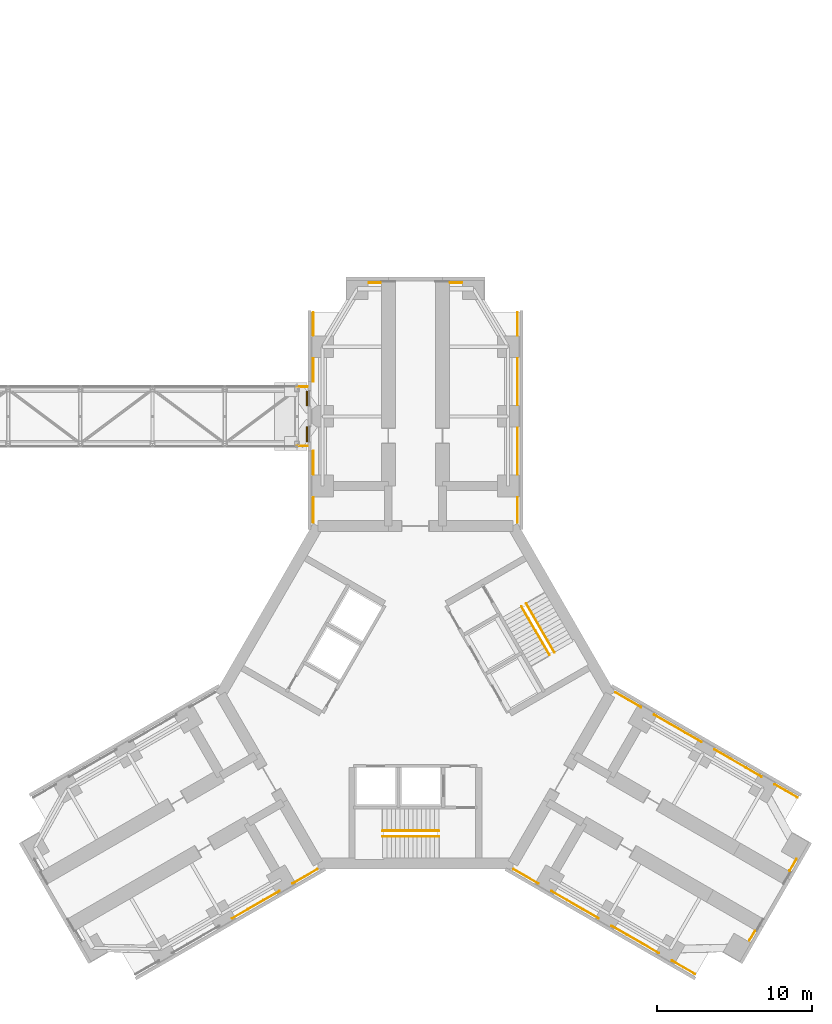
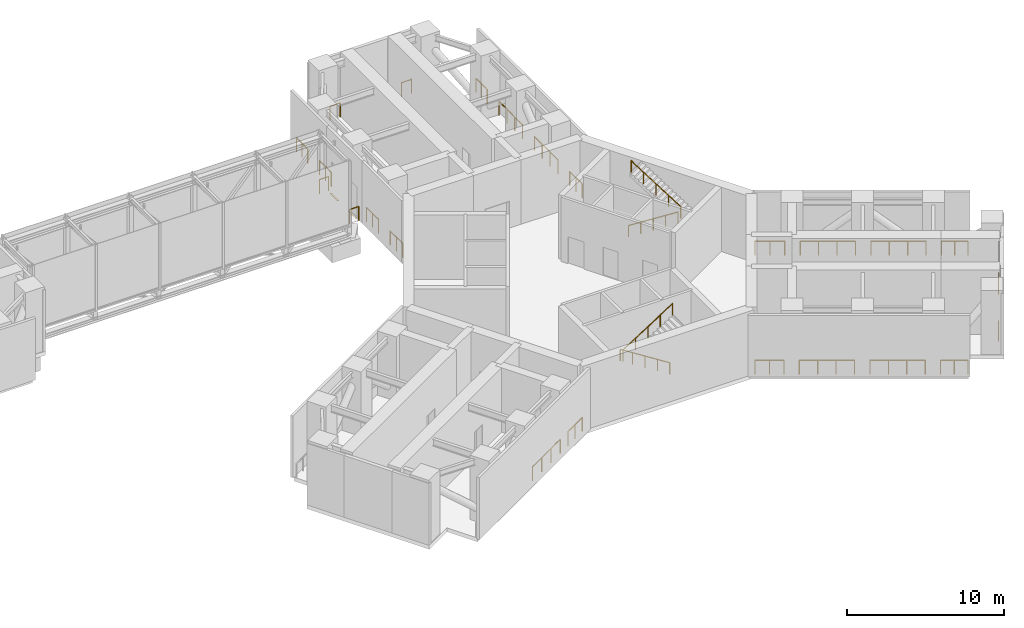
# One storey, part 17 of 17: 28 railings, 2 coverings.
"""IFC4 building model written with IfcOpenShell, lengths in metres."""

from ifc_helpers import new_model, si_unit, direction, frame, origin, origin_2d, place, context, subcontext, project, spatial, rectangle, circle, extrude, material, layer, layer_set, type_object, element, save


model = new_model("IFC4")

# Units and contexts
model_context = context("Model", 3, precision=1e-05, world=origin(), true_north=direction((0.0, 1.0)))
body_context = subcontext(model_context, "Body", "Model", "MODEL_VIEW")
ifc_project = project(units=[si_unit("LENGTHUNIT", "METRE"), si_unit("AREAUNIT", "SQUARE_METRE"), si_unit("VOLUMEUNIT", "CUBIC_METRE"), si_unit("PLANEANGLEUNIT", "RADIAN"), si_unit("MASSUNIT", "GRAM", prefix="KILO")], contexts=[model_context])

# Site, building, storey
site_placement = place(None, origin())
site = spatial("IfcSite", under=ifc_project, at=site_placement, CompositionType="ELEMENT")
building_placement = place(site_placement, origin())
building = spatial("IfcBuilding", under=site, at=building_placement, Name="Upepo Twin Towers", CompositionType="ELEMENT")
storey_placement = place(building_placement, frame((0.0, 0.0, 92.5)))
storey = spatial("IfcBuildingStorey", under=building, at=storey_placement, Name="L22", CompositionType="ELEMENT", Elevation=92.5)

# Coverings
ifc_material_1 = material(Name="Stainless steel 1.4401", Category="steel")
ifc_layer = layer(ifc_material_1, 0.02001953125)
ifc_layer_set = layer_set([ifc_layer], Name="Expansion joint sill plate 20 stainless steel")
covering_type = type_object("IfcCoveringType", Name="Expansion joint sill plate 20 stainless steel", PredefinedType="FLOORING", material=ifc_layer_set)
for number, where, z_axis, x_axis, name in (
    (1, (51.49755859375, -1.14990234375, -0.02001953125), (0.0, 0.0, 1.0), (1.0, 0.0, 0.0), "BR1 movement joint sill plate 1 at T2"),
    (2, (51.49755859375, 1.14990234375, -0.02001953125), (0.0, 0.0, 1.0), (1.0, 0.0, 0.0), "BR1 movement joint sill plate 2 at T2"),
):
    element("IfcCovering", number, at=place(storey_placement, frame(where, z_axis=z_axis, x_axis=x_axis)), inside=storey, type_object=covering_type, Name=name, PredefinedType="FLOORING", context=body_context, shape_type="SweptSolid", body=[
        extrude(rectangle(XDim=0.10498046875, YDim=0.949951171875, at=origin_2d()), origin(), (0.0, 0.0, 1.0), 0.02001953125),
    ])

# Railings
ifc_material_2 = material(Name="Stainless steel and glass", Category="steel")
railing_type_1 = type_object("IfcRailingType", Name="Guard 1100", PredefinedType="GUARDRAIL", material=ifc_material_2)
railing_1_placement = place(storey_placement, frame((51.89990234375, -6.859619140625, 0.0)))
element("IfcRailing", 3, at=railing_1_placement, inside=storey, type_object=railing_type_1, Name="T2 L22 open floor guard", PredefinedType="GUARDRAIL", context=body_context, shape_type="SweptSolid", body=[
    extrude(circle(Radius=0.02392578125, at=origin_2d()), frame((0.0, 0.0, 1.076171875), z_axis=(0.0, 1.0, 0.0), x_axis=(-1.0, 0.0, 0.0)), (0.0, 0.0, 1.0), 1.609619140625),
    extrude(circle(Radius=0.02099609375, at=origin_2d()), origin(), (0.0, 0.0, 1.0), 1.052001953125),
    extrude(circle(Radius=0.02099609375, at=origin_2d()), frame((0.0, 0.8046875, 0.0)), (0.0, 0.0, 1.0), 1.052001953125),
    extrude(circle(Radius=0.02099609375, at=origin_2d()), frame((0.0, 1.609619140625, 0.0)), (0.0, 0.0, 1.0), 1.052001953125),
])
for number, where, name in (
    (4, (51.89990234375, -3.75, 0.0), "T2 L22 open floor guard"),
    (5, (51.89990234375, 2.25, 0.0), "T2 L22 open floor guard"),
):
    element("IfcRailing", number, at=place(storey_placement, frame(where)), inside=storey, type_object=railing_type_1, Name=name, PredefinedType="GUARDRAIL", context=body_context, shape_type="SweptSolid", body=[
        extrude(circle(Radius=0.02392578125, at=origin_2d()), frame((0.0, 0.0, 1.076171875), z_axis=(0.0, 1.0, 0.0), x_axis=(-1.0, 0.0, 0.0)), (0.0, 0.0, 1.0), 1.5),
        extrude(circle(Radius=0.02099609375, at=origin_2d()), origin(), (0.0, 0.0, 1.0), 1.052001953125),
        extrude(circle(Radius=0.02099609375, at=origin_2d()), frame((0.0, 0.75, 0.0)), (0.0, 0.0, 1.0), 1.052001953125),
        extrude(circle(Radius=0.02099609375, at=origin_2d()), frame((0.0, 1.5, 0.0)), (0.0, 0.0, 1.0), 1.052001953125),
    ])
railing_2_placement = place(storey_placement, frame((51.89990234375, 5.25, 0.0)))
element("IfcRailing", 6, at=railing_2_placement, inside=storey, type_object=railing_type_1, Name="T2 L22 open floor guard", PredefinedType="GUARDRAIL", context=body_context, shape_type="SweptSolid", body=[
    extrude(circle(Radius=0.02392578125, at=origin_2d()), frame((0.0, 0.0, 1.076171875), z_axis=(0.0, 1.0, 0.0), x_axis=(-1.0, 0.0, 0.0)), (0.0, 0.0, 1.0), 1.449951171875),
    extrude(circle(Radius=0.02099609375, at=origin_2d()), origin(), (0.0, 0.0, 1.0), 1.052001953125),
    extrude(circle(Radius=0.02099609375, at=origin_2d()), frame((0.0, 0.72509765625, 0.0)), (0.0, 0.0, 1.0), 1.052001953125),
    extrude(circle(Radius=0.02099609375, at=origin_2d()), frame((0.0, 1.449951171875, 0.0)), (0.0, 0.0, 1.0), 1.052001953125),
])
railing_3_placement = place(storey_placement, frame((65.10009765625, -5.25, 0.0)))
element("IfcRailing", 7, at=railing_3_placement, inside=storey, type_object=railing_type_1, Name="T2 L22 open floor guard", PredefinedType="GUARDRAIL", context=body_context, shape_type="SweptSolid", body=[
    extrude(circle(Radius=0.02392578125, at=origin_2d()), frame((0.0, 0.0, 1.076171875), z_axis=(0.0, -1.0, 0.0), x_axis=(1.0, 0.0, 0.0)), (0.0, 0.0, 1.0), 1.609619140625),
    extrude(circle(Radius=0.02099609375, at=origin_2d()), origin(), (0.0, 0.0, 1.0), 1.052001953125),
    extrude(circle(Radius=0.02099609375, at=origin_2d()), frame((0.0, -0.8046875, 0.0)), (0.0, 0.0, 1.0), 1.052001953125),
    extrude(circle(Radius=0.02099609375, at=origin_2d()), frame((0.0, -1.609619140625, 0.0)), (0.0, 0.0, 1.0), 1.052001953125),
])
for number, where, name in (
    (8, (65.10009765625, -0.75, 0.0), "T2 L22 open floor guard"),
    (9, (65.10009765625, 3.75, 0.0), "T2 L22 open floor guard"),
):
    element("IfcRailing", number, at=place(storey_placement, frame(where)), inside=storey, type_object=railing_type_1, Name=name, PredefinedType="GUARDRAIL", context=body_context, shape_type="SweptSolid", body=[
        extrude(circle(Radius=0.02392578125, at=origin_2d()), frame((0.0, 0.0, 1.076171875), z_axis=(0.0, -1.0, 0.0), x_axis=(1.0, 0.0, 0.0)), (0.0, 0.0, 1.0), 3.0),
        extrude(circle(Radius=0.02099609375, at=origin_2d()), origin(), (0.0, 0.0, 1.0), 1.052001953125),
        extrude(circle(Radius=0.02099609375, at=origin_2d()), frame((0.0, -1.0, 0.0)), (0.0, 0.0, 1.0), 1.052001953125),
        extrude(circle(Radius=0.02099609375, at=origin_2d()), frame((0.0, -2.0, 0.0)), (0.0, 0.0, 1.0), 1.052001953125),
        extrude(circle(Radius=0.02099609375, at=origin_2d()), frame((0.0, -3.0, 0.0)), (0.0, 0.0, 1.0), 1.052001953125),
    ])
railing_4_placement = place(storey_placement, frame((65.10009765625, 6.699951171875, 0.0)))
element("IfcRailing", 10, at=railing_4_placement, inside=storey, type_object=railing_type_1, Name="T2 L22 open floor guard", PredefinedType="GUARDRAIL", context=body_context, shape_type="SweptSolid", body=[
    extrude(circle(Radius=0.02392578125, at=origin_2d()), frame((0.0, 0.0, 1.076171875), z_axis=(0.0, -1.0, 0.0), x_axis=(1.0, 0.0, 0.0)), (0.0, 0.0, 1.0), 1.449951171875),
    extrude(circle(Radius=0.02099609375, at=origin_2d()), origin(), (0.0, 0.0, 1.0), 1.052001953125),
    extrude(circle(Radius=0.02099609375, at=origin_2d()), frame((0.0, -0.72509765625, 0.0)), (0.0, 0.0, 1.0), 1.052001953125),
    extrude(circle(Radius=0.02099609375, at=origin_2d()), frame((0.0, -1.449951171875, 0.0)), (0.0, 0.0, 1.0), 1.052001953125),
])
for number, where, name in (
    (11, (61.5, 8.64990234375, 0.0), "T2 L22 open floor guard"),
    (12, (56.25, 8.64990234375, 0.0), "T2 L22 open floor guard"),
):
    element("IfcRailing", number, at=place(storey_placement, frame(where)), inside=storey, type_object=railing_type_1, Name=name, PredefinedType="GUARDRAIL", context=body_context, shape_type="SweptSolid", body=[
        extrude(circle(Radius=0.02392578125, at=origin_2d()), frame((0.0, 0.0, 1.076171875), z_axis=(-1.0, 0.0, 0.0), x_axis=(0.0, -1.0, 0.0)), (0.0, 0.0, 1.0), 0.75),
        extrude(circle(Radius=0.02099609375, at=origin_2d()), origin(), (0.0, 0.0, 1.0), 1.052001953125),
        extrude(circle(Radius=0.02099609375, at=origin_2d()), frame((-0.75, 0.0, 0.0)), (0.0, 0.0, 1.0), 1.052001953125),
    ])
railing_5_placement = place(storey_placement, frame((49.709716796875, -30.696044921875, 0.0)))
element("IfcRailing", 13, at=railing_5_placement, inside=storey, type_object=railing_type_1, Name="T2 L22 open floor guard", PredefinedType="GUARDRAIL", context=body_context, shape_type="SweptSolid", body=[
    extrude(circle(Radius=0.02392578125, at=origin_2d()), frame((0.0, 0.0, 1.076171875), z_axis=(-0.866001918609, -0.500040675311, 0.0), x_axis=(0.500040675311, -0.866001918609, 0.0)), (0.0, 0.0, 1.0), 3.519775390625),
    extrude(circle(Radius=0.02099609375, at=origin_2d()), origin(), (0.0, 0.0, 1.0), 1.052001953125),
    extrude(circle(Radius=0.02099609375, at=origin_2d()), frame((-1.01611328125, -0.586669921875, 0.0)), (0.0, 0.0, 1.0), 1.052001953125),
    extrude(circle(Radius=0.02099609375, at=origin_2d()), frame((-2.031982421875, -1.17333984375, 0.0)), (0.0, 0.0, 1.0), 1.052001953125),
    extrude(circle(Radius=0.02099609375, at=origin_2d()), frame((-3.048095703125, -1.760009765625, 0.0)), (0.0, 0.0, 1.0), 1.052001953125),
])
railing_6_placement = place(storey_placement, frame((52.152099609375, -29.285888671875, 0.0)))
element("IfcRailing", 14, at=railing_6_placement, inside=storey, type_object=railing_type_1, Name="T2 L22 open floor guard", PredefinedType="GUARDRAIL", context=body_context, shape_type="SweptSolid", body=[
    extrude(circle(Radius=0.02392578125, at=origin_2d()), frame((0.0, 0.0, 1.076171875), z_axis=(-0.865988931839, -0.500063165942, 0.0), x_axis=(0.500063165942, -0.865988931839, 0.0)), (0.0, 0.0, 1.0), 1.840087890625),
    extrude(circle(Radius=0.02099609375, at=origin_2d()), origin(), (0.0, 0.0, 1.0), 1.052001953125),
    extrude(circle(Radius=0.02099609375, at=origin_2d()), frame((-0.796875, -0.4599609375, 0.0)), (0.0, 0.0, 1.0), 1.052001953125),
    extrude(circle(Radius=0.02099609375, at=origin_2d()), frame((-1.593505859375, -0.920166015625, 0.0)), (0.0, 0.0, 1.0), 1.052001953125),
])
railing_7_placement = place(storey_placement, frame((71.447998046875, -17.8544921875, 0.0)))
element("IfcRailing", 15, at=railing_7_placement, inside=storey, type_object=railing_type_1, Name="T2 L22 open floor guard", PredefinedType="GUARDRAIL", context=body_context, shape_type="SweptSolid", body=[
    extrude(circle(Radius=0.02392578125, at=origin_2d()), frame((0.0, 0.0, 1.076171875), z_axis=(0.865995005868, -0.500052647041, 0.0), x_axis=(0.500052647041, 0.865995005868, 0.0)), (0.0, 0.0, 1.0), 1.898681640625),
    extrude(circle(Radius=0.02099609375, at=origin_2d()), origin(), (0.0, 0.0, 1.0), 1.052001953125),
    extrude(circle(Radius=0.02099609375, at=origin_2d()), frame((0.822265625, -0.474609375, 0.0)), (0.0, 0.0, 1.0), 1.052001953125),
    extrude(circle(Radius=0.02099609375, at=origin_2d()), frame((1.644287109375, -0.949462890625, 0.0)), (0.0, 0.0, 1.0), 1.052001953125),
])
for number, where, name in (
    (16, (73.94140625, -19.2939453125, 0.0), "T2 L22 open floor guard"),
    (17, (77.83837890625, -21.5439453125, 0.0), "T2 L22 open floor guard"),
):
    element("IfcRailing", number, at=place(storey_placement, frame(where)), inside=storey, type_object=railing_type_1, Name=name, PredefinedType="GUARDRAIL", context=body_context, shape_type="SweptSolid", body=[
        extrude(circle(Radius=0.02392578125, at=origin_2d()), frame((0.0, 0.0, 1.076171875), z_axis=(0.866001918609, -0.500040675311, 0.0), x_axis=(0.500040675311, 0.866001918609, 0.0)), (0.0, 0.0, 1.0), 3.519775390625),
        extrude(circle(Radius=0.02099609375, at=origin_2d()), origin(), (0.0, 0.0, 1.0), 1.052001953125),
        extrude(circle(Radius=0.02099609375, at=origin_2d()), frame((1.01611328125, -0.586669921875, 0.0)), (0.0, 0.0, 1.0), 1.052001953125),
        extrude(circle(Radius=0.02099609375, at=origin_2d()), frame((2.031982421875, -1.17333984375, 0.0)), (0.0, 0.0, 1.0), 1.052001953125),
        extrude(circle(Radius=0.02099609375, at=origin_2d()), frame((3.048095703125, -1.760009765625, 0.0)), (0.0, 0.0, 1.0), 1.052001953125),
    ])
railing_8_placement = place(storey_placement, frame((81.735595703125, -23.7939453125, 0.0)))
element("IfcRailing", 18, at=railing_8_placement, inside=storey, type_object=railing_type_1, Name="T2 L22 open floor guard", PredefinedType="GUARDRAIL", context=body_context, shape_type="SweptSolid", body=[
    extrude(circle(Radius=0.02392578125, at=origin_2d()), frame((0.0, 0.0, 1.076171875), z_axis=(0.865999293341, -0.500045221889, 0.0), x_axis=(0.500045221889, 0.865999293341, 0.0)), (0.0, 0.0, 1.0), 1.680419921875),
    extrude(circle(Radius=0.02099609375, at=origin_2d()), origin(), (0.0, 0.0, 1.0), 1.052001953125),
    extrude(circle(Radius=0.02099609375, at=origin_2d()), frame((0.7275390625, -0.420166015625, 0.0)), (0.0, 0.0, 1.0), 1.052001953125),
    extrude(circle(Radius=0.02099609375, at=origin_2d()), frame((1.455322265625, -0.84033203125, 0.0)), (0.0, 0.0, 1.0), 1.052001953125),
])
railing_9_placement = place(storey_placement, frame((66.44140625, -30.2060546875, 0.0)))
element("IfcRailing", 19, at=railing_9_placement, inside=storey, type_object=railing_type_1, Name="T2 L22 open floor guard", PredefinedType="GUARDRAIL", context=body_context, shape_type="SweptSolid", body=[
    extrude(circle(Radius=0.02392578125, at=origin_2d()), frame((0.0, 0.0, 1.076171875), z_axis=(-0.865988931839, 0.500063165942, 0.0), x_axis=(-0.500063165942, -0.865988931839, 0.0)), (0.0, 0.0, 1.0), 1.840087890625),
    extrude(circle(Radius=0.02099609375, at=origin_2d()), origin(), (0.0, 0.0, 1.0), 1.052001953125),
    extrude(circle(Radius=0.02099609375, at=origin_2d()), frame((-0.796875, 0.4599609375, 0.0)), (0.0, 0.0, 1.0), 1.052001953125),
    extrude(circle(Radius=0.02099609375, at=origin_2d()), frame((-1.593505859375, 0.920166015625, 0.0)), (0.0, 0.0, 1.0), 1.052001953125),
])
for number, where, name in (
    (20, (70.33837890625, -32.4560546875, 0.0), "T2 L22 open floor guard"),
    (21, (74.235595703125, -34.7060546875, 0.0), "T2 L22 open floor guard"),
):
    element("IfcRailing", number, at=place(storey_placement, frame(where)), inside=storey, type_object=railing_type_1, Name=name, PredefinedType="GUARDRAIL", context=body_context, shape_type="SweptSolid", body=[
        extrude(circle(Radius=0.02392578125, at=origin_2d()), frame((0.0, 0.0, 1.076171875), z_axis=(-0.866001918609, 0.500040675311, 0.0), x_axis=(-0.500040675311, -0.866001918609, 0.0)), (0.0, 0.0, 1.0), 3.519775390625),
        extrude(circle(Radius=0.02099609375, at=origin_2d()), origin(), (0.0, 0.0, 1.0), 1.052001953125),
        extrude(circle(Radius=0.02099609375, at=origin_2d()), frame((-1.01611328125, 0.586669921875, 0.0)), (0.0, 0.0, 1.0), 1.052001953125),
        extrude(circle(Radius=0.02099609375, at=origin_2d()), frame((-2.031982421875, 1.17333984375, 0.0)), (0.0, 0.0, 1.0), 1.052001953125),
        extrude(circle(Radius=0.02099609375, at=origin_2d()), frame((-3.048095703125, 1.760009765625, 0.0)), (0.0, 0.0, 1.0), 1.052001953125),
    ])
railing_10_placement = place(storey_placement, frame((76.5908203125, -36.065673828125, 0.0)))
element("IfcRailing", 22, at=railing_10_placement, inside=storey, type_object=railing_type_1, Name="T2 L22 open floor guard", PredefinedType="GUARDRAIL", context=body_context, shape_type="SweptSolid", body=[
    extrude(circle(Radius=0.02392578125, at=origin_2d()), frame((0.0, 0.0, 1.076171875), z_axis=(-0.86600557522, 0.500034342508, 0.0), x_axis=(-0.500034342508, -0.86600557522, 0.0)), (0.0, 0.0, 1.0), 1.7392578125),
    extrude(circle(Radius=0.02099609375, at=origin_2d()), origin(), (0.0, 0.0, 1.0), 1.052001953125),
    extrude(circle(Radius=0.02099609375, at=origin_2d()), frame((-0.7529296875, 0.434814453125, 0.0)), (0.0, 0.0, 1.0), 1.052001953125),
    extrude(circle(Radius=0.02099609375, at=origin_2d()), frame((-1.506103515625, 0.86962890625, 0.0)), (0.0, 0.0, 1.0), 1.052001953125),
])
railing_11_placement = place(storey_placement, frame((80.108154296875, -33.87353515625, 0.0)))
element("IfcRailing", 23, at=railing_11_placement, inside=storey, type_object=railing_type_1, Name="T2 L22 open floor guard", PredefinedType="GUARDRAIL", context=body_context, shape_type="SweptSolid", body=[
    extrude(circle(Radius=0.02392578125, at=origin_2d()), frame((0.0, 0.0, 1.076171875), z_axis=(0.499966449638, 0.866044773228, 0.0), x_axis=(-0.866044773228, 0.499966449638, 0.0)), (0.0, 0.0, 1.0), 0.69287109375),
    extrude(circle(Radius=0.02099609375, at=origin_2d()), origin(), (0.0, 0.0, 1.0), 1.052001953125),
    extrude(circle(Radius=0.02099609375, at=origin_2d()), frame((0.346435546875, 0.60009765625, 0.0)), (0.0, 0.0, 1.0), 1.052001953125),
])
railing_12_placement = place(storey_placement, frame((82.70458984375, -29.37646484375, 0.0)))
element("IfcRailing", 24, at=railing_12_placement, inside=storey, type_object=railing_type_1, Name="T2 L22 open floor guard", PredefinedType="GUARDRAIL", context=body_context, shape_type="SweptSolid", body=[
    extrude(circle(Radius=0.02392578125, at=origin_2d()), frame((0.0, 0.0, 1.076171875), z_axis=(0.499934233803, 0.866063370586, 0.0), x_axis=(-0.866063370586, 0.499934233803, 0.0)), (0.0, 0.0, 1.0), 0.86474609375),
    extrude(circle(Radius=0.02099609375, at=origin_2d()), origin(), (0.0, 0.0, 1.0), 1.052001953125),
    extrude(circle(Radius=0.02099609375, at=origin_2d()), frame((0.432373046875, 0.7490234375, 0.0)), (0.0, 0.0, 1.0), 1.052001953125),
])
for number, where, name in (
    (25, (50.840087890625, 1.919921875, 0.02001953125), "BR1 movement joint guard N"),
    (26, (50.840087890625, -1.919921875, 0.02001953125), "BR1 movement joint guard S"),
):
    element("IfcRailing", number, at=place(storey_placement, frame(where)), inside=storey, type_object=railing_type_1, Name=name, PredefinedType="GUARDRAIL", context=body_context, shape_type="SweptSolid", body=[
        extrude(circle(Radius=0.02392578125, at=origin_2d()), frame((0.0, 0.0, 1.076171875), z_axis=(1.0, 0.0, 0.0), x_axis=(0.0, 1.0, 0.0)), (0.0, 0.0, 1.0), 0.6748046875),
        extrude(circle(Radius=0.02099609375, at=origin_2d()), origin(), (0.0, 0.0, 1.0), 1.052001953125),
        extrude(circle(Radius=0.02099609375, at=origin_2d()), frame((0.6748046875, 0.0, 0.0)), (0.0, 0.0, 1.0), 1.052001953125),
    ])
ifc_material_3 = material(Name="Stainless steel", Category="steel")
railing_type_2 = type_object("IfcRailingType", Name="Stair handrail 900", PredefinedType="HANDRAIL", material=ifc_material_3)
railing_13_placement = place(storey_placement, frame((60.02001953125, -26.800048828125, 0.178466796875)))
element("IfcRailing", 27, at=railing_13_placement, inside=storey, type_object=railing_type_2, Name="T2 stair S1 L22 handrail 1", PredefinedType="HANDRAIL", context=body_context, shape_type="SweptSolid", body=[
    extrude(circle(Radius=0.02392578125, at=origin_2d()), frame((0.0, 0.0, 0.8759765625), z_axis=(-0.843127859045, 0.0, 0.537713132908), x_axis=(0.0, -1.0, 0.0)), (0.0, 0.0, 1.0), 4.3173828125),
    extrude(circle(Radius=0.02099609375, at=origin_2d()), origin(), (0.0, 0.0, 1.0), 0.851806640625),
    extrude(circle(Radius=0.02099609375, at=origin_2d()), frame((-0.91015625, 0.0, 0.580322265625)), (0.0, 0.0, 1.0), 0.851806640625),
    extrude(circle(Radius=0.02099609375, at=origin_2d()), frame((-1.820068359375, 0.0, 1.16064453125)), (0.0, 0.0, 1.0), 0.851806640625),
    extrude(circle(Radius=0.02099609375, at=origin_2d()), frame((-2.72998046875, 0.0, 1.7412109375)), (0.0, 0.0, 1.0), 0.851806640625),
    extrude(circle(Radius=0.02099609375, at=origin_2d()), frame((-3.64013671875, 0.0, 2.321533203125)), (0.0, 0.0, 1.0), 0.851806640625),
])
railing_14_placement = place(storey_placement, frame((56.3798828125, -27.158447265625, 2.678466796875)))
element("IfcRailing", 28, at=railing_14_placement, inside=storey, type_object=railing_type_2, Name="T2 stair S1 L22 handrail 2", PredefinedType="HANDRAIL", context=body_context, shape_type="SweptSolid", body=[
    extrude(circle(Radius=0.02392578125, at=origin_2d()), frame((0.0, 0.0, 0.8759765625), z_axis=(0.843127859045, 0.0, 0.537713132908), x_axis=(0.0, 1.0, 0.0)), (0.0, 0.0, 1.0), 4.3173828125),
    extrude(circle(Radius=0.02099609375, at=origin_2d()), origin(), (0.0, 0.0, 1.0), 0.851806640625),
    extrude(circle(Radius=0.02099609375, at=origin_2d()), frame((0.91015625, 0.0, 0.580322265625)), (0.0, 0.0, 1.0), 0.851806640625),
    extrude(circle(Radius=0.02099609375, at=origin_2d()), frame((1.820068359375, 0.0, 1.16064453125)), (0.0, 0.0, 1.0), 0.851806640625),
    extrude(circle(Radius=0.02099609375, at=origin_2d()), frame((2.72998046875, 0.0, 1.7412109375)), (0.0, 0.0, 1.0), 0.851806640625),
    extrude(circle(Radius=0.02099609375, at=origin_2d()), frame((3.64013671875, 0.0, 2.321533203125)), (0.0, 0.0, 1.0), 0.851806640625),
])
railing_15_placement = place(storey_placement, frame((65.361083984375, -12.28369140625, 0.178466796875)))
element("IfcRailing", 29, at=railing_15_placement, inside=storey, type_object=railing_type_2, Name="T2 stair S2 L22 handrail 1", PredefinedType="HANDRAIL", context=body_context, shape_type="SweptSolid", body=[
    extrude(circle(Radius=0.02392578125, at=origin_2d()), frame((0.0, 0.0, 0.8759765625), z_axis=(0.421525066422, -0.730175966949, 0.537735693132), x_axis=(0.866047089031, 0.499962438169, 0.0)), (0.0, 0.0, 1.0), 4.317138671875),
    extrude(circle(Radius=0.02099609375, at=origin_2d()), origin(), (0.0, 0.0, 1.0), 0.851806640625),
    extrude(circle(Radius=0.02099609375, at=origin_2d()), frame((0.455078125, -0.7880859375, 0.580322265625)), (0.0, 0.0, 1.0), 0.851806640625),
    extrude(circle(Radius=0.02099609375, at=origin_2d()), frame((0.909912109375, -1.576171875, 1.16064453125)), (0.0, 0.0, 1.0), 0.851806640625),
    extrude(circle(Radius=0.02099609375, at=origin_2d()), frame((1.36474609375, -2.3642578125, 1.7412109375)), (0.0, 0.0, 1.0), 0.851806640625),
    extrude(circle(Radius=0.02099609375, at=origin_2d()), frame((1.81982421875, -3.15234375, 2.321533203125)), (0.0, 0.0, 1.0), 0.851806640625),
])
railing_16_placement = place(storey_placement, frame((67.491455078125, -15.2568359375, 2.678466796875)))
element("IfcRailing", 30, at=railing_16_placement, inside=storey, type_object=railing_type_2, Name="T2 stair S2 L22 handrail 2", PredefinedType="HANDRAIL", context=body_context, shape_type="SweptSolid", body=[
    extrude(circle(Radius=0.02392578125, at=origin_2d()), frame((0.0, 0.0, 0.8759765625), z_axis=(-0.421571566915, 0.730158560966, 0.537722874553), x_axis=(-0.866018046521, -0.500012742938, 0.0)), (0.0, 0.0, 1.0), 4.3173828125),
    extrude(circle(Radius=0.02099609375, at=origin_2d()), origin(), (0.0, 0.0, 1.0), 0.851806640625),
    extrude(circle(Radius=0.02099609375, at=origin_2d()), frame((-0.455078125, 0.7880859375, 0.580322265625)), (0.0, 0.0, 1.0), 0.851806640625),
    extrude(circle(Radius=0.02099609375, at=origin_2d()), frame((-0.91015625, 1.576171875, 1.16064453125)), (0.0, 0.0, 1.0), 0.851806640625),
    extrude(circle(Radius=0.02099609375, at=origin_2d()), frame((-1.364990234375, 2.3642578125, 1.7412109375)), (0.0, 0.0, 1.0), 0.851806640625),
    extrude(circle(Radius=0.02099609375, at=origin_2d()), frame((-1.820068359375, 3.15234375, 2.321533203125)), (0.0, 0.0, 1.0), 0.851806640625),
])

save(model, "model.ifc")
